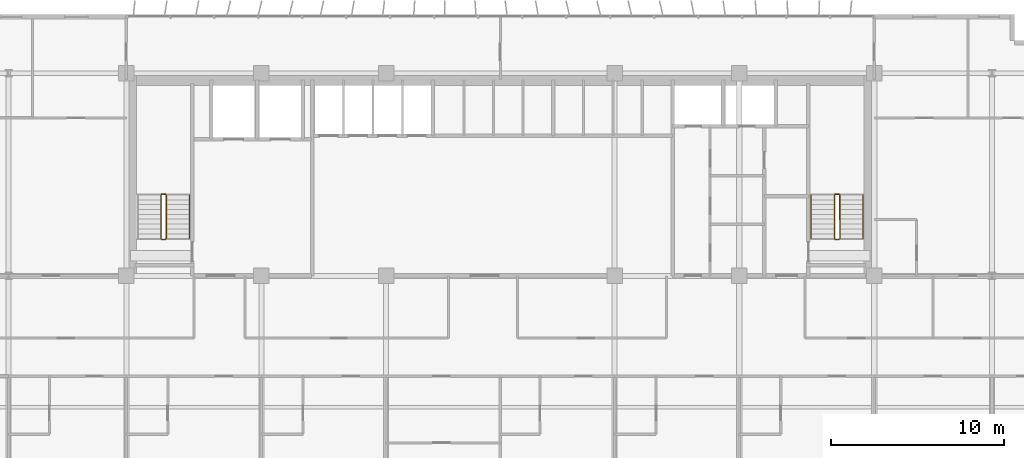
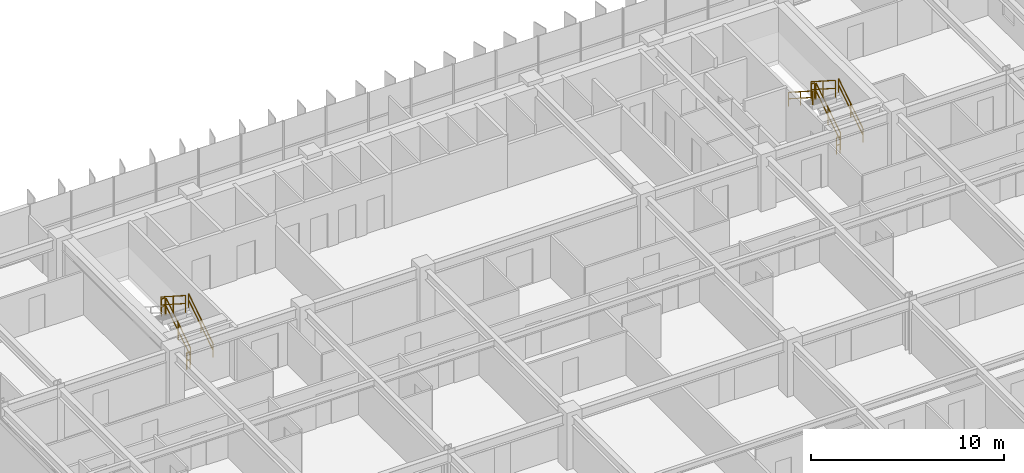
# One storey, part 23 of 24: 11 railings.
"""IFC4 building model written with IfcOpenShell, lengths in metres."""

from ifc_helpers import new_model, si_unit, direction, frame, origin, origin_2d, place, context, subcontext, project, spatial, rectangle, extrude, material, type_object, element, save


model = new_model("IFC4")

# Units and contexts
model_context = context("Model", 3, precision=1e-05, world=origin(), true_north=direction((0.0, 1.0)))
body_context = subcontext(model_context, "Body", "Model", "MODEL_VIEW")
ifc_project = project(units=[si_unit("LENGTHUNIT", "METRE"), si_unit("AREAUNIT", "SQUARE_METRE"), si_unit("VOLUMEUNIT", "CUBIC_METRE"), si_unit("PLANEANGLEUNIT", "RADIAN"), si_unit("MASSUNIT", "GRAM", prefix="KILO")], contexts=[model_context])

# Site, building, storey
site_placement = place(None, origin())
site = spatial("IfcSite", under=ifc_project, at=site_placement, CompositionType="ELEMENT")
building_placement = place(site_placement, origin())
building = spatial("IfcBuilding", under=site, at=building_placement, Name="Trelvane Seafront Commons", CompositionType="ELEMENT")
storey_placement = place(building_placement, frame((0.0, 0.0, 30.699951171875)))
storey = spatial("IfcBuildingStorey", under=building, at=storey_placement, Name="L07", CompositionType="ELEMENT", Elevation=30.699951171875)

# Railings
ifc_material = material(Name="Stainless steel balustrade", Category="steel")
railing_type_1 = type_object("IfcRailingType", Name="ARCH-SRL-GUARD", PredefinedType="GUARDRAIL", material=ifc_material)
railing_1_placement = place(storey_placement, frame((17.89990234375, 35.550048828125, 0.179931640625)))
element("IfcRailing", 1, at=railing_1_placement, inside=storey, type_object=railing_type_1, Name="L07 ST-1 stair guard 1", PredefinedType="GUARDRAIL", context=body_context, shape_type="SweptSolid", body=[
    extrude(rectangle(XDim=0.048095703125, YDim=0.048095703125, at=origin_2d()), frame((0.0, 0.0, 1.076171875), z_axis=(0.0, 0.841162588446, 0.540782303519), x_axis=(-1.0, 0.0, 0.0)), (0.0, 0.0, 1.0), 2.995849609375),
    extrude(rectangle(XDim=0.048095703125, YDim=0.048095703125, at=origin_2d()), frame((0.0, 0.0, 0.572021484375), z_axis=(0.0, 0.841162588446, 0.540782303519), x_axis=(-1.0, 0.0, 0.0)), (0.0, 0.0, 1.0), 2.995849609375),
    extrude(rectangle(XDim=0.0419921875, YDim=0.0419921875, at=origin_2d()), origin(), (0.0, 0.0, 1.0), 1.076171875),
    extrude(rectangle(XDim=0.0419921875, YDim=0.0419921875, at=origin_2d()), frame((0.0, 1.260009765625, 0.81005859375)), (0.0, 0.0, 1.0), 1.076171875),
    extrude(rectangle(XDim=0.0419921875, YDim=0.0419921875, at=origin_2d()), frame((0.0, 2.52001953125, 1.6201171875)), (0.0, 0.0, 1.0), 1.076171875),
])
railing_2_placement = place(storey_placement, frame((17.85009765625, 38.1201171875, 1.800048828125)))
element("IfcRailing", 2, at=railing_2_placement, inside=storey, type_object=railing_type_1, Name="L07 ST-1 stair guard 2", PredefinedType="GUARDRAIL", context=body_context, shape_type="SweptSolid", body=[
    extrude(rectangle(XDim=0.048095703125, YDim=0.048095703125, at=origin_2d()), frame((0.0, 0.0, 1.076171875), z_axis=(-1.0, 0.0, 0.0), x_axis=(0.0, -1.0, 0.0)), (0.0, 0.0, 1.0), 0.2001953125),
    extrude(rectangle(XDim=0.048095703125, YDim=0.048095703125, at=origin_2d()), frame((0.0, 0.0, 0.572021484375), z_axis=(-1.0, 0.0, 0.0), x_axis=(0.0, -1.0, 0.0)), (0.0, 0.0, 1.0), 0.2001953125),
    extrude(rectangle(XDim=0.0419921875, YDim=0.0419921875, at=origin_2d()), origin(), (0.0, 0.0, 1.0), 1.076171875),
    extrude(rectangle(XDim=0.0419921875, YDim=0.0419921875, at=origin_2d()), frame((-0.2001953125, 0.0, 0.0)), (0.0, 0.0, 1.0), 1.076171875),
])
railing_3_placement = place(storey_placement, frame((17.60009765625, 38.070068359375, 1.97998046875)))
element("IfcRailing", 3, at=railing_3_placement, inside=storey, type_object=railing_type_1, Name="L07 ST-1 stair guard 3", PredefinedType="GUARDRAIL", context=body_context, shape_type="SweptSolid", body=[
    extrude(rectangle(XDim=0.048095703125, YDim=0.048095703125, at=origin_2d()), frame((0.0, 0.0, 1.076171875), z_axis=(0.0, -0.841162588446, 0.540782303519), x_axis=(1.0, 0.0, 0.0)), (0.0, 0.0, 1.0), 2.995849609375),
    extrude(rectangle(XDim=0.048095703125, YDim=0.048095703125, at=origin_2d()), frame((0.0, 0.0, 0.572021484375), z_axis=(0.0, -0.841162588446, 0.540782303519), x_axis=(1.0, 0.0, 0.0)), (0.0, 0.0, 1.0), 2.995849609375),
    extrude(rectangle(XDim=0.0419921875, YDim=0.0419921875, at=origin_2d()), origin(), (0.0, 0.0, 1.0), 1.076171875),
    extrude(rectangle(XDim=0.0419921875, YDim=0.0419921875, at=origin_2d()), frame((0.0, -1.260009765625, 0.81005859375)), (0.0, 0.0, 1.0), 1.076171875),
    extrude(rectangle(XDim=0.0419921875, YDim=0.0419921875, at=origin_2d()), frame((0.0, -2.52001953125, 1.6201171875)), (0.0, 0.0, 1.0), 1.076171875),
])
railing_4_placement = place(storey_placement, frame((17.85009765625, 35.5, 0.0)))
element("IfcRailing", 4, at=railing_4_placement, inside=storey, type_object=railing_type_1, Name="L07 ST-1 stair guard 4", PredefinedType="GUARDRAIL", context=body_context, shape_type="SweptSolid", body=[
    extrude(rectangle(XDim=0.048095703125, YDim=0.048095703125, at=origin_2d()), frame((0.0, 0.0, 1.076171875), z_axis=(-1.0, 0.0, 0.0), x_axis=(0.0, -1.0, 0.0)), (0.0, 0.0, 1.0), 0.2001953125),
    extrude(rectangle(XDim=0.048095703125, YDim=0.048095703125, at=origin_2d()), frame((0.0, 0.0, 0.572021484375), z_axis=(-1.0, 0.0, 0.0), x_axis=(0.0, -1.0, 0.0)), (0.0, 0.0, 1.0), 0.2001953125),
    extrude(rectangle(XDim=0.0419921875, YDim=0.0419921875, at=origin_2d()), origin(), (0.0, 0.0, 1.0), 1.076171875),
    extrude(rectangle(XDim=0.0419921875, YDim=0.0419921875, at=origin_2d()), frame((-0.2001953125, 0.0, 0.0)), (0.0, 0.0, 1.0), 1.076171875),
])
railing_5_placement = place(storey_placement, frame((56.800048828125, 35.550048828125, 0.179931640625)))
element("IfcRailing", 5, at=railing_5_placement, inside=storey, type_object=railing_type_1, Name="L07 ST-2 stair guard 1", PredefinedType="GUARDRAIL", context=body_context, shape_type="SweptSolid", body=[
    extrude(rectangle(XDim=0.048095703125, YDim=0.048095703125, at=origin_2d()), frame((0.0, 0.0, 1.076171875), z_axis=(0.0, 0.841162588446, 0.540782303519), x_axis=(-1.0, 0.0, 0.0)), (0.0, 0.0, 1.0), 2.995849609375),
    extrude(rectangle(XDim=0.048095703125, YDim=0.048095703125, at=origin_2d()), frame((0.0, 0.0, 0.572021484375), z_axis=(0.0, 0.841162588446, 0.540782303519), x_axis=(-1.0, 0.0, 0.0)), (0.0, 0.0, 1.0), 2.995849609375),
    extrude(rectangle(XDim=0.0419921875, YDim=0.0419921875, at=origin_2d()), origin(), (0.0, 0.0, 1.0), 1.076171875),
    extrude(rectangle(XDim=0.0419921875, YDim=0.0419921875, at=origin_2d()), frame((0.0, 1.260009765625, 0.81005859375)), (0.0, 0.0, 1.0), 1.076171875),
    extrude(rectangle(XDim=0.0419921875, YDim=0.0419921875, at=origin_2d()), frame((0.0, 2.52001953125, 1.6201171875)), (0.0, 0.0, 1.0), 1.076171875),
])
railing_6_placement = place(storey_placement, frame((56.75, 38.1201171875, 1.800048828125)))
element("IfcRailing", 6, at=railing_6_placement, inside=storey, type_object=railing_type_1, Name="L07 ST-2 stair guard 2", PredefinedType="GUARDRAIL", context=body_context, shape_type="SweptSolid", body=[
    extrude(rectangle(XDim=0.048095703125, YDim=0.048095703125, at=origin_2d()), frame((0.0, 0.0, 1.076171875), z_axis=(-1.0, 0.0, 0.0), x_axis=(0.0, -1.0, 0.0)), (0.0, 0.0, 1.0), 0.199951171875),
    extrude(rectangle(XDim=0.048095703125, YDim=0.048095703125, at=origin_2d()), frame((0.0, 0.0, 0.572021484375), z_axis=(-1.0, 0.0, 0.0), x_axis=(0.0, -1.0, 0.0)), (0.0, 0.0, 1.0), 0.199951171875),
    extrude(rectangle(XDim=0.0419921875, YDim=0.0419921875, at=origin_2d()), origin(), (0.0, 0.0, 1.0), 1.076171875),
    extrude(rectangle(XDim=0.0419921875, YDim=0.0419921875, at=origin_2d()), frame((-0.199951171875, 0.0, 0.0)), (0.0, 0.0, 1.0), 1.076171875),
])
railing_7_placement = place(storey_placement, frame((56.5, 38.070068359375, 1.97998046875)))
element("IfcRailing", 7, at=railing_7_placement, inside=storey, type_object=railing_type_1, Name="L07 ST-2 stair guard 3", PredefinedType="GUARDRAIL", context=body_context, shape_type="SweptSolid", body=[
    extrude(rectangle(XDim=0.048095703125, YDim=0.048095703125, at=origin_2d()), frame((0.0, 0.0, 1.076171875), z_axis=(0.0, -0.841162588446, 0.540782303519), x_axis=(1.0, 0.0, 0.0)), (0.0, 0.0, 1.0), 2.995849609375),
    extrude(rectangle(XDim=0.048095703125, YDim=0.048095703125, at=origin_2d()), frame((0.0, 0.0, 0.572021484375), z_axis=(0.0, -0.841162588446, 0.540782303519), x_axis=(1.0, 0.0, 0.0)), (0.0, 0.0, 1.0), 2.995849609375),
    extrude(rectangle(XDim=0.0419921875, YDim=0.0419921875, at=origin_2d()), origin(), (0.0, 0.0, 1.0), 1.076171875),
    extrude(rectangle(XDim=0.0419921875, YDim=0.0419921875, at=origin_2d()), frame((0.0, -1.260009765625, 0.81005859375)), (0.0, 0.0, 1.0), 1.076171875),
    extrude(rectangle(XDim=0.0419921875, YDim=0.0419921875, at=origin_2d()), frame((0.0, -2.52001953125, 1.6201171875)), (0.0, 0.0, 1.0), 1.076171875),
])
railing_8_placement = place(storey_placement, frame((56.75, 35.5, 0.0)))
element("IfcRailing", 8, at=railing_8_placement, inside=storey, type_object=railing_type_1, Name="L07 ST-2 stair guard 4", PredefinedType="GUARDRAIL", context=body_context, shape_type="SweptSolid", body=[
    extrude(rectangle(XDim=0.048095703125, YDim=0.048095703125, at=origin_2d()), frame((0.0, 0.0, 1.076171875), z_axis=(-1.0, 0.0, 0.0), x_axis=(0.0, -1.0, 0.0)), (0.0, 0.0, 1.0), 0.199951171875),
    extrude(rectangle(XDim=0.048095703125, YDim=0.048095703125, at=origin_2d()), frame((0.0, 0.0, 0.572021484375), z_axis=(-1.0, 0.0, 0.0), x_axis=(0.0, -1.0, 0.0)), (0.0, 0.0, 1.0), 0.199951171875),
    extrude(rectangle(XDim=0.0419921875, YDim=0.0419921875, at=origin_2d()), origin(), (0.0, 0.0, 1.0), 1.076171875),
    extrude(rectangle(XDim=0.0419921875, YDim=0.0419921875, at=origin_2d()), frame((-0.199951171875, 0.0, 0.0)), (0.0, 0.0, 1.0), 1.076171875),
])
railing_type_2 = type_object("IfcRailingType", Name="ARCH-SRL-HAND", PredefinedType="HANDRAIL", material=ifc_material)
for number, where, name in (
    (9, (19.25, 35.550048828125, 0.179931640625), "L07 ST-1 stair handrail 1"),
    (10, (58.14990234375, 35.550048828125, 0.179931640625), "L07 ST-2 stair handrail 1"),
):
    element("IfcRailing", number, at=place(storey_placement, frame(where)), inside=storey, type_object=railing_type_2, Name=name, PredefinedType="HANDRAIL", context=body_context, shape_type="SweptSolid", body=[
        extrude(rectangle(XDim=0.048095703125, YDim=0.048095703125, at=origin_2d()), frame((0.0, 0.0, 0.8759765625), z_axis=(0.0, 0.841162588446, 0.540782303519), x_axis=(-1.0, 0.0, 0.0)), (0.0, 0.0, 1.0), 2.995849609375),
        extrude(rectangle(XDim=0.048095703125, YDim=0.048095703125, at=origin_2d()), frame((0.0, 0.0, 0.468017578125), z_axis=(0.0, 0.841162588446, 0.540782303519), x_axis=(-1.0, 0.0, 0.0)), (0.0, 0.0, 1.0), 2.995849609375),
        extrude(rectangle(XDim=0.0419921875, YDim=0.0419921875, at=origin_2d()), origin(), (0.0, 0.0, 1.0), 0.8759765625),
        extrude(rectangle(XDim=0.0419921875, YDim=0.0419921875, at=origin_2d()), frame((0.0, 1.260009765625, 0.81005859375)), (0.0, 0.0, 1.0), 0.8759765625),
        extrude(rectangle(XDim=0.0419921875, YDim=0.0419921875, at=origin_2d()), frame((0.0, 2.52001953125, 1.6201171875)), (0.0, 0.0, 1.0), 0.8759765625),
    ])
railing_9_placement = place(storey_placement, frame((55.14990234375, 38.070068359375, 1.97998046875)))
element("IfcRailing", 11, at=railing_9_placement, inside=storey, type_object=railing_type_2, Name="L07 ST-2 stair handrail 2", PredefinedType="HANDRAIL", context=body_context, shape_type="SweptSolid", body=[
    extrude(rectangle(XDim=0.048095703125, YDim=0.048095703125, at=origin_2d()), frame((0.0, 0.0, 0.8759765625), z_axis=(0.0, -0.841162588446, 0.540782303519), x_axis=(1.0, 0.0, 0.0)), (0.0, 0.0, 1.0), 2.995849609375),
    extrude(rectangle(XDim=0.048095703125, YDim=0.048095703125, at=origin_2d()), frame((0.0, 0.0, 0.468017578125), z_axis=(0.0, -0.841162588446, 0.540782303519), x_axis=(1.0, 0.0, 0.0)), (0.0, 0.0, 1.0), 2.995849609375),
    extrude(rectangle(XDim=0.0419921875, YDim=0.0419921875, at=origin_2d()), origin(), (0.0, 0.0, 1.0), 0.8759765625),
    extrude(rectangle(XDim=0.0419921875, YDim=0.0419921875, at=origin_2d()), frame((0.0, -1.260009765625, 0.81005859375)), (0.0, 0.0, 1.0), 0.8759765625),
    extrude(rectangle(XDim=0.0419921875, YDim=0.0419921875, at=origin_2d()), frame((0.0, -2.52001953125, 1.6201171875)), (0.0, 0.0, 1.0), 0.8759765625),
])

save(model, "model.ifc")
